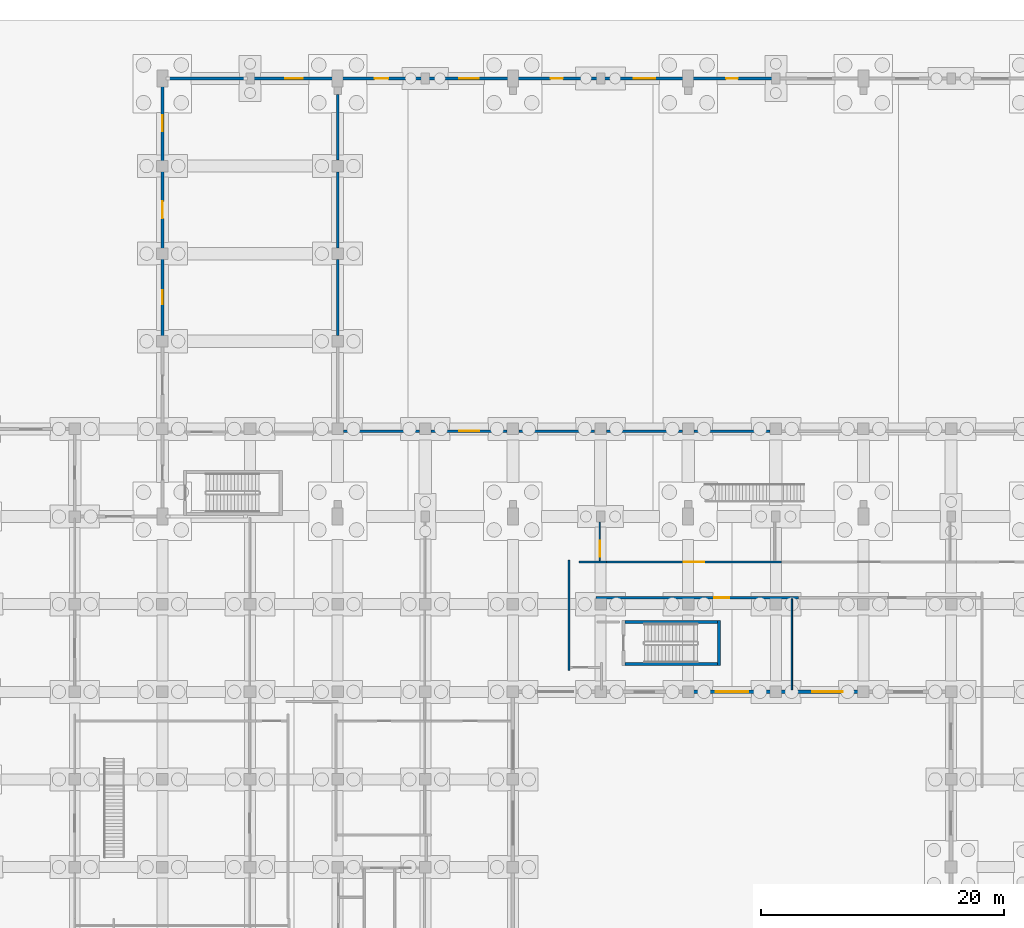
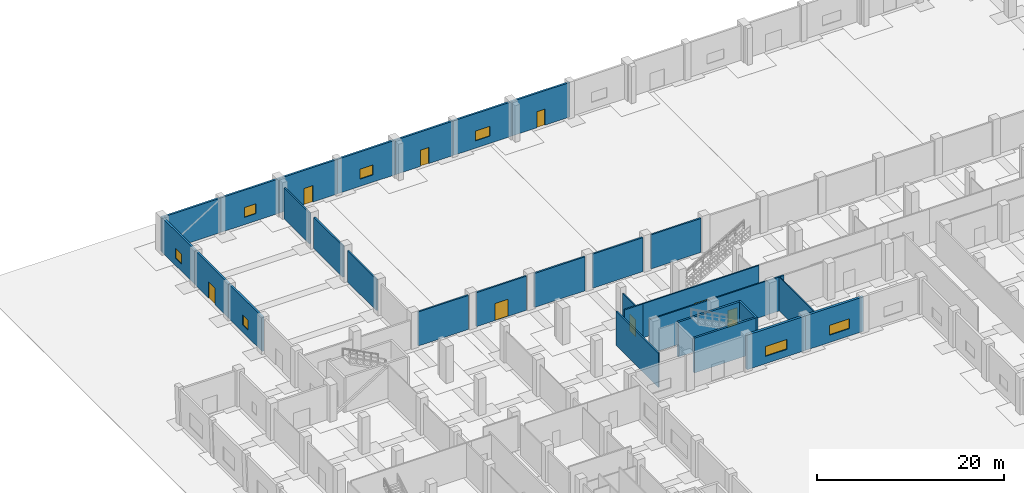
# One storey, part 28 of 48: 29 walls, 8 doors, 7 windows, 15 openings.
"""IFC4 building model written with IfcOpenShell, lengths in metres."""

from ifc_helpers import new_model, si_unit, direction, frame, frame_2d, origin, place, context, subcontext, project, spatial, rectangle, extrude, material, layer, layer_set, type_object, element, fill, save


model = new_model("IFC4")

# Units and contexts
model_context = context("Model", 3, precision=1e-05, world=origin(), true_north=direction((0.0, 1.0)))
body_context = subcontext(model_context, "Body", "Model", "MODEL_VIEW")
ifc_project = project(units=[si_unit("LENGTHUNIT", "METRE"), si_unit("AREAUNIT", "SQUARE_METRE"), si_unit("VOLUMEUNIT", "CUBIC_METRE"), si_unit("PLANEANGLEUNIT", "RADIAN"), si_unit("MASSUNIT", "GRAM", prefix="KILO")], contexts=[model_context])

# Site, building, storey
site_placement = place(None, origin())
site = spatial("IfcSite", under=ifc_project, at=site_placement, CompositionType="ELEMENT")
building_placement = place(site_placement, origin())
building = spatial("IfcBuilding", under=site, at=building_placement, Name="Seraya Terrace Polytechnic", CompositionType="ELEMENT")
storey_placement = place(building_placement, origin())
storey = spatial("IfcBuildingStorey", under=building, at=storey_placement, Name="L00", CompositionType="ELEMENT", Elevation=0.0)

# Wall, opening, window
ifc_material_1 = material(Name="Concrete C40/50", Category="concrete")
ifc_layer_1 = layer(ifc_material_1, 0.300048828125, Name="EW-01")
ifc_layer_set_1 = layer_set([ifc_layer_1], Name="Concrete C40/50")
wall_type_1 = type_object("IfcWallType", Name="EW-01", PredefinedType="SOLIDWALL", material=ifc_layer_set_1)
wall_1_placement = place(storey_placement, frame((72.0, 64.800048828125, 0.0), z_axis=(0.0, 0.0, 1.0), x_axis=(-1.0, 0.0, 0.0)))
wall_1 = element("IfcWall", 1, at=wall_1_placement, inside=storey, type_object=wall_type_1, Name="Exterior structural wall EW-01 L00", PredefinedType="SOLIDWALL", context=body_context, shape_type="SweptSolid", body=[
    extrude(rectangle(XDim=7.199951171875, YDim=0.300048828125, at=frame_2d((3.60009765625, 0.0))), origin(), (0.0, 0.0, 1.0), 4.52001953125),
])
opening_1_placement = place(wall_1_placement, frame((1.697509765625, 0.0, 0.949951171875)))
opening_1 = element("IfcOpeningElement", 2, at=opening_1_placement, cuts=wall_1, Name="Opening WN-10", PredefinedType="OPENING", context=body_context, shape_type="SweptSolid", body=[
    extrude(rectangle(XDim=2.5, YDim=1.300048828125, at=frame_2d((1.25, 0.64990234375))), frame((0.0, 0.162109375, 0.0), z_axis=(0.0, -1.0, 0.0), x_axis=(1.0, 0.0, 0.0)), (0.0, 0.0, 1.0), 0.323974609375),
])
ifc_material_2 = material(Name="Laminated solar-control Low-E double glazing", Category="glass")
window_type_1 = type_object("IfcWindowType", Name="WN-10", PartitioningType="SINGLE_PANEL", PredefinedType="WINDOW", material=ifc_material_2)
window_1_placement = place(opening_1_placement, origin())
window_1 = element("IfcWindow", 3, at=window_1_placement, inside=storey, type_object=window_type_1, Name="Exterior window WN-10 L00", OverallHeight=1.300048828125, OverallWidth=2.5, PartitioningType="SINGLE_PANEL", PredefinedType="WINDOW", context=body_context, shape_type="SweptSolid", body=[
    extrude(rectangle(XDim=2.5, YDim=1.300048828125, at=frame_2d((1.25, 0.64990234375))), frame((0.0, 0.030029296875, 0.0), z_axis=(0.0, -1.0, 0.0), x_axis=(1.0, 0.0, 0.0)), (0.0, 0.0, 1.0), 0.06005859375),
])
fill(opening_1, window_1)

wall_2_placement = place(storey_placement, frame((64.800048828125, 64.800048828125, 0.0), z_axis=(0.0, 0.0, 1.0), x_axis=(-1.0, 0.0, 0.0)))
wall_2 = element("IfcWall", 4, at=wall_2_placement, inside=storey, type_object=wall_type_1, Name="Exterior structural wall EW-01 L00", PredefinedType="SOLIDWALL", context=body_context, shape_type="SweptSolid", body=[
    extrude(rectangle(XDim=7.199951171875, YDim=0.300048828125, at=frame_2d((3.60009765625, 0.0))), origin(), (0.0, 0.0, 1.0), 4.52001953125),
])
opening_2_placement = place(wall_2_placement, frame((2.25, 0.0, 0.949951171875)))
opening_2 = element("IfcOpeningElement", 5, at=opening_2_placement, cuts=wall_2, Name="Opening WN-11", PredefinedType="OPENING", context=body_context, shape_type="SweptSolid", body=[
    extrude(rectangle(XDim=2.699951171875, YDim=1.300048828125, at=frame_2d((1.35009765625, 0.64990234375))), frame((0.0, 0.162109375, 0.0), z_axis=(0.0, -1.0, 0.0), x_axis=(1.0, 0.0, 0.0)), (0.0, 0.0, 1.0), 0.323974609375),
])
window_type_2 = type_object("IfcWindowType", Name="WN-11", PartitioningType="SINGLE_PANEL", PredefinedType="WINDOW", material=ifc_material_2)
window_2_placement = place(opening_2_placement, origin())
window_2 = element("IfcWindow", 6, at=window_2_placement, inside=storey, type_object=window_type_2, Name="Exterior window WN-11 L00", OverallHeight=1.300048828125, OverallWidth=2.699951171875, PartitioningType="SINGLE_PANEL", PredefinedType="WINDOW", context=body_context, shape_type="SweptSolid", body=[
    extrude(rectangle(XDim=2.699951171875, YDim=1.300048828125, at=frame_2d((1.35009765625, 0.64990234375))), frame((0.0, 0.030029296875, 0.0), z_axis=(0.0, -1.0, 0.0), x_axis=(1.0, 0.0, 0.0)), (0.0, 0.0, 1.0), 0.06005859375),
])
fill(opening_2, window_2)

ifc_layer_2 = layer(ifc_material_1, 0.239990234375, Name="EW-04")
ifc_layer_set_2 = layer_set([ifc_layer_2], Name="Concrete C40/50")
wall_type_2 = type_object("IfcWallType", Name="EW-04", PredefinedType="SOLIDWALL", material=ifc_layer_set_2)
wall_3_placement = place(storey_placement, frame((14.39990234375, 93.60009765625, 0.0), z_axis=(0.0, 0.0, 1.0), x_axis=(0.0, 1.0, 0.0)))
wall_3 = element("IfcWall", 7, at=wall_3_placement, inside=storey, type_object=wall_type_2, Name="Exterior structural wall EW-04 L00", PredefinedType="SOLIDWALL", context=body_context, shape_type="SweptSolid", body=[
    extrude(rectangle(XDim=7.199951171875, YDim=0.239990234375, at=frame_2d((3.60009765625, 0.0))), origin(), (0.0, 0.0, 1.0), 4.52001953125),
])
opening_3_placement = place(wall_3_placement, frame((3.02490234375, 0.0, 0.949951171875)))
opening_3 = element("IfcOpeningElement", 8, at=opening_3_placement, cuts=wall_3, Name="Opening WN-02", PredefinedType="OPENING", context=body_context, shape_type="SweptSolid", body=[
    extrude(rectangle(XDim=1.14990234375, YDim=1.300048828125, at=frame_2d((0.574951171875, 0.64990234375))), frame((0.0, 0.1318359375, 0.0), z_axis=(0.0, -1.0, 0.0), x_axis=(1.0, 0.0, 0.0)), (0.0, 0.0, 1.0), 0.263916015625),
])
window_type_3 = type_object("IfcWindowType", Name="WN-02", PartitioningType="SINGLE_PANEL", PredefinedType="WINDOW", material=ifc_material_2)
window_3_placement = place(opening_3_placement, origin())
window_3 = element("IfcWindow", 9, at=window_3_placement, inside=storey, type_object=window_type_3, Name="Exterior window WN-02 L00", OverallHeight=1.300048828125, OverallWidth=1.14990234375, PartitioningType="SINGLE_PANEL", PredefinedType="WINDOW", context=body_context, shape_type="SweptSolid", body=[
    extrude(rectangle(XDim=1.14990234375, YDim=1.300048828125, at=frame_2d((0.574951171875, 0.64990234375))), frame((0.0, 0.030029296875, 0.0), z_axis=(0.0, -1.0, 0.0), x_axis=(1.0, 0.0, 0.0)), (0.0, 0.0, 1.0), 0.06005859375),
])
fill(opening_3, window_3)

# Wall, opening, door
wall_4_placement = place(storey_placement, frame((14.39990234375, 100.800048828125, 0.0), z_axis=(0.0, 0.0, 1.0), x_axis=(0.0, 1.0, 0.0)))
wall_4 = element("IfcWall", 10, at=wall_4_placement, inside=storey, type_object=wall_type_2, Name="Exterior structural wall EW-04 L00", PredefinedType="SOLIDWALL", context=body_context, shape_type="SweptSolid", body=[
    extrude(rectangle(XDim=7.199951171875, YDim=0.239990234375, at=frame_2d((3.60009765625, 0.0))), origin(), (0.0, 0.0, 1.0), 4.52001953125),
])
opening_4_placement = place(wall_4_placement, frame((2.89990234375, 0.0, 0.0)))
opening_4 = element("IfcOpeningElement", 11, at=opening_4_placement, cuts=wall_4, Name="Opening ED-05", PredefinedType="OPENING", context=body_context, shape_type="SweptSolid", body=[
    extrude(rectangle(XDim=1.39990234375, YDim=2.14990234375, at=frame_2d((0.699951171875, 1.074951171875))), frame((0.0, 0.1318359375, 0.0), z_axis=(0.0, -1.0, 0.0), x_axis=(1.0, 0.0, 0.0)), (0.0, 0.0, 1.0), 0.263916015625),
])
ifc_material_3 = material(Name="Anodised aluminium EN AW-6063 T6", Category="aluminium")
door_type_1 = type_object("IfcDoorType", Name="ED-05", OperationType="DOUBLE_DOOR_SINGLE_SWING", PredefinedType="DOOR", material=ifc_material_3)
door_1_placement = place(opening_4_placement, origin())
door_1 = element("IfcDoor", 12, at=door_1_placement, inside=storey, type_object=door_type_1, Name="Door ED-05 DR-EXIT-L00-005 in WL-EXT-L00-03-03", OperationType="DOUBLE_DOOR_SINGLE_SWING", OverallHeight=2.14990234375, OverallWidth=1.39990234375, PredefinedType="DOOR", context=body_context, shape_type="SweptSolid", body=[
    extrude(rectangle(XDim=1.39990234375, YDim=2.14990234375, at=frame_2d((0.699951171875, 1.074951171875))), frame((0.0, 0.02490234375, 0.0), z_axis=(0.0, -1.0, 0.0), x_axis=(1.0, 0.0, 0.0)), (0.0, 0.0, 1.0), 0.050048828125),
])
fill(opening_4, door_1)

# Wall, opening, window
wall_5_placement = place(storey_placement, frame((14.39990234375, 108.0, 0.0), z_axis=(0.0, 0.0, 1.0), x_axis=(0.0, 1.0, 0.0)))
wall_5 = element("IfcWall", 13, at=wall_5_placement, inside=storey, type_object=wall_type_2, Name="Exterior structural wall EW-04 L00", PredefinedType="SOLIDWALL", context=body_context, shape_type="SweptSolid", body=[
    extrude(rectangle(XDim=7.048095703125, YDim=0.239990234375, at=frame_2d((3.52392578125, 0.0))), origin(), (0.0, 0.0, 1.0), 4.52001953125),
])
opening_5_placement = place(wall_5_placement, frame((2.8740234375, 0.0, 0.949951171875)))
opening_5 = element("IfcOpeningElement", 14, at=opening_5_placement, cuts=wall_5, Name="Opening WN-03", PredefinedType="OPENING", context=body_context, shape_type="SweptSolid", body=[
    extrude(rectangle(XDim=1.300048828125, YDim=1.300048828125, at=frame_2d((0.64990234375, 0.64990234375))), frame((0.0, 0.1318359375, 0.0), z_axis=(0.0, -1.0, 0.0), x_axis=(1.0, 0.0, 0.0)), (0.0, 0.0, 1.0), 0.263916015625),
])
window_type_4 = type_object("IfcWindowType", Name="WN-03", PartitioningType="SINGLE_PANEL", PredefinedType="WINDOW", material=ifc_material_2)
window_4_placement = place(opening_5_placement, origin())
window_4 = element("IfcWindow", 15, at=window_4_placement, inside=storey, type_object=window_type_4, Name="Exterior window WN-03 L00", OverallHeight=1.300048828125, OverallWidth=1.300048828125, PartitioningType="SINGLE_PANEL", PredefinedType="WINDOW", context=body_context, shape_type="SweptSolid", body=[
    extrude(rectangle(XDim=1.300048828125, YDim=1.300048828125, at=frame_2d((0.64990234375, 0.64990234375))), frame((0.0, 0.030029296875, 0.0), z_axis=(0.0, -1.0, 0.0), x_axis=(1.0, 0.0, 0.0)), (0.0, 0.0, 1.0), 0.06005859375),
])
fill(opening_5, window_4)

# Wall
wall_6_placement = place(storey_placement, frame((14.25, 115.199951171875, 0.0), z_axis=(0.0, 0.0, 1.0), x_axis=(1.0, 0.0, 0.0)))
element("IfcWall", 16, at=wall_6_placement, inside=storey, type_object=wall_type_2, Name="Exterior structural wall EW-04 L00", PredefinedType="SOLIDWALL", context=body_context, shape_type="SweptSolid", body=[
    extrude(rectangle(XDim=7.35009765625, YDim=0.239990234375, at=frame_2d((3.675048828125, 0.0))), origin(), (0.0, 0.0, 1.0), 4.52001953125),
])

# Wall, opening, window
wall_7_placement = place(storey_placement, frame((21.60009765625, 115.199951171875, 0.0), z_axis=(0.0, 0.0, 1.0), x_axis=(1.0, 0.0, 0.0)))
wall_7 = element("IfcWall", 17, at=wall_7_placement, inside=storey, type_object=wall_type_2, Name="Exterior structural wall EW-04 L00", PredefinedType="SOLIDWALL", context=body_context, shape_type="SweptSolid", body=[
    extrude(rectangle(XDim=7.199951171875, YDim=0.239990234375, at=frame_2d((3.60009765625, 0.0))), origin(), (0.0, 0.0, 1.0), 4.52001953125),
])
opening_6_placement = place(wall_7_placement, frame((2.875, 0.0, 0.949951171875)))
opening_6 = element("IfcOpeningElement", 18, at=opening_6_placement, cuts=wall_7, Name="Opening WN-04", PredefinedType="OPENING", context=body_context, shape_type="SweptSolid", body=[
    extrude(rectangle(XDim=1.449951171875, YDim=1.300048828125, at=frame_2d((0.72509765625, 0.64990234375))), frame((0.0, 0.1318359375, 0.0), z_axis=(0.0, -1.0, 0.0), x_axis=(1.0, 0.0, 0.0)), (0.0, 0.0, 1.0), 0.263916015625),
])
window_type_5 = type_object("IfcWindowType", Name="WN-04", PartitioningType="SINGLE_PANEL", PredefinedType="WINDOW", material=ifc_material_2)
window_5_placement = place(opening_6_placement, origin())
window_5 = element("IfcWindow", 19, at=window_5_placement, inside=storey, type_object=window_type_5, Name="Exterior window WN-04 L00", OverallHeight=1.300048828125, OverallWidth=1.449951171875, PartitioningType="SINGLE_PANEL", PredefinedType="WINDOW", context=body_context, shape_type="SweptSolid", body=[
    extrude(rectangle(XDim=1.449951171875, YDim=1.300048828125, at=frame_2d((0.72509765625, 0.64990234375))), frame((0.0, 0.030029296875, 0.0), z_axis=(0.0, -1.0, 0.0), x_axis=(1.0, 0.0, 0.0)), (0.0, 0.0, 1.0), 0.06005859375),
])
fill(opening_6, window_5)

# Wall, opening, door
wall_8_placement = place(storey_placement, frame((28.800048828125, 115.199951171875, 0.0), z_axis=(0.0, 0.0, 1.0), x_axis=(1.0, 0.0, 0.0)))
wall_8 = element("IfcWall", 20, at=wall_8_placement, inside=storey, type_object=wall_type_2, Name="Exterior structural wall EW-04 L00", PredefinedType="SOLIDWALL", context=body_context, shape_type="SweptSolid", body=[
    extrude(rectangle(XDim=7.199951171875, YDim=0.239990234375, at=frame_2d((3.60009765625, 0.0))), origin(), (0.0, 0.0, 1.0), 4.52001953125),
])
opening_7_placement = place(wall_8_placement, frame((3.0400390625, 0.0, 0.0)))
opening_7 = element("IfcOpeningElement", 21, at=opening_7_placement, cuts=wall_8, Name="Opening ED-06", PredefinedType="OPENING", context=body_context, shape_type="SweptSolid", body=[
    extrude(rectangle(XDim=1.1201171875, YDim=2.14990234375, at=frame_2d((0.56005859375, 1.074951171875))), frame((0.0, 0.1318359375, 0.0), z_axis=(0.0, -1.0, 0.0), x_axis=(1.0, 0.0, 0.0)), (0.0, 0.0, 1.0), 0.263916015625),
])
door_type_2 = type_object("IfcDoorType", Name="ED-06", OperationType="NOTDEFINED", PredefinedType="DOOR", material=ifc_material_3)
door_2_placement = place(opening_7_placement, origin())
door_2 = element("IfcDoor", 22, at=door_2_placement, inside=storey, type_object=door_type_2, Name="Door ED-06 DR-EXIT-L00-006 in WL-EXT-L00-04-02", OperationType="SINGLE_SWING_LEFT", OverallHeight=2.14990234375, OverallWidth=1.1201171875, PredefinedType="DOOR", context=body_context, shape_type="SweptSolid", body=[
    extrude(rectangle(XDim=1.1201171875, YDim=2.14990234375, at=frame_2d((0.56005859375, 1.074951171875))), frame((0.0, 0.02490234375, 0.0), z_axis=(0.0, -1.0, 0.0), x_axis=(1.0, 0.0, 0.0)), (0.0, 0.0, 1.0), 0.050048828125),
])
fill(opening_7, door_2)

# Wall, opening, window
wall_9_placement = place(storey_placement, frame((36.0, 115.199951171875, 0.0), z_axis=(0.0, 0.0, 1.0), x_axis=(1.0, 0.0, 0.0)))
wall_9 = element("IfcWall", 23, at=wall_9_placement, inside=storey, type_object=wall_type_2, Name="Exterior structural wall EW-04 L00", PredefinedType="SOLIDWALL", context=body_context, shape_type="SweptSolid", body=[
    extrude(rectangle(XDim=7.199951171875, YDim=0.239990234375, at=frame_2d((3.60009765625, 0.0))), origin(), (0.0, 0.0, 1.0), 4.52001953125),
])
opening_8_placement = place(wall_9_placement, frame((2.800048828125, 0.0, 0.949951171875)))
opening_8 = element("IfcOpeningElement", 24, at=opening_8_placement, cuts=wall_9, Name="Opening WN-05", PredefinedType="OPENING", context=body_context, shape_type="SweptSolid", body=[
    extrude(rectangle(XDim=1.60009765625, YDim=1.300048828125, at=frame_2d((0.800048828125, 0.64990234375))), frame((0.0, 0.1318359375, 0.0), z_axis=(0.0, -1.0, 0.0), x_axis=(1.0, 0.0, 0.0)), (0.0, 0.0, 1.0), 0.263916015625),
])
window_type_6 = type_object("IfcWindowType", Name="WN-05", PartitioningType="SINGLE_PANEL", PredefinedType="WINDOW", material=ifc_material_2)
window_6_placement = place(opening_8_placement, origin())
window_6 = element("IfcWindow", 25, at=window_6_placement, inside=storey, type_object=window_type_6, Name="Exterior window WN-05 L00", OverallHeight=1.300048828125, OverallWidth=1.60009765625, PartitioningType="SINGLE_PANEL", PredefinedType="WINDOW", context=body_context, shape_type="SweptSolid", body=[
    extrude(rectangle(XDim=1.60009765625, YDim=1.300048828125, at=frame_2d((0.800048828125, 0.64990234375))), frame((0.0, 0.030029296875, 0.0), z_axis=(0.0, -1.0, 0.0), x_axis=(1.0, 0.0, 0.0)), (0.0, 0.0, 1.0), 0.06005859375),
])
fill(opening_8, window_6)

# Wall, opening, door
wall_10_placement = place(storey_placement, frame((43.199951171875, 115.199951171875, 0.0), z_axis=(0.0, 0.0, 1.0), x_axis=(1.0, 0.0, 0.0)))
wall_10 = element("IfcWall", 26, at=wall_10_placement, inside=storey, type_object=wall_type_2, Name="Exterior structural wall EW-04 L00", PredefinedType="SOLIDWALL", context=body_context, shape_type="SweptSolid", body=[
    extrude(rectangle(XDim=7.199951171875, YDim=0.239990234375, at=frame_2d((3.60009765625, 0.0))), origin(), (0.0, 0.0, 1.0), 4.52001953125),
])
opening_9_placement = place(wall_10_placement, frame((3.090087890625, 0.0, 0.0)))
opening_9 = element("IfcOpeningElement", 27, at=opening_9_placement, cuts=wall_10, Name="Opening ED-07", PredefinedType="OPENING", context=body_context, shape_type="SweptSolid", body=[
    extrude(rectangle(XDim=1.02001953125, YDim=2.1201171875, at=frame_2d((0.510009765625, 1.06005859375))), frame((0.0, 0.1318359375, 0.0), z_axis=(0.0, -1.0, 0.0), x_axis=(1.0, 0.0, 0.0)), (0.0, 0.0, 1.0), 0.263916015625),
])
door_type_3 = type_object("IfcDoorType", Name="ED-07", OperationType="NOTDEFINED", PredefinedType="DOOR", material=ifc_material_3)
door_3_placement = place(opening_9_placement, origin())
door_3 = element("IfcDoor", 28, at=door_3_placement, inside=storey, type_object=door_type_3, Name="Door ED-07 DR-EXIT-L00-007 in WL-EXT-L00-04-04", OperationType="SINGLE_SWING_RIGHT", OverallHeight=2.1201171875, OverallWidth=1.02001953125, PredefinedType="DOOR", context=body_context, shape_type="SweptSolid", body=[
    extrude(rectangle(XDim=1.02001953125, YDim=2.1201171875, at=frame_2d((0.510009765625, 1.06005859375))), frame((0.0, 0.02490234375, 0.0), z_axis=(0.0, -1.0, 0.0), x_axis=(1.0, 0.0, 0.0)), (0.0, 0.0, 1.0), 0.050048828125),
])
fill(opening_9, door_3)

# Wall, opening, window
wall_11_placement = place(storey_placement, frame((50.39990234375, 115.199951171875, 0.0), z_axis=(0.0, 0.0, 1.0), x_axis=(1.0, 0.0, 0.0)))
wall_11 = element("IfcWall", 29, at=wall_11_placement, inside=storey, type_object=wall_type_2, Name="Exterior structural wall EW-04 L00", PredefinedType="SOLIDWALL", context=body_context, shape_type="SweptSolid", body=[
    extrude(rectangle(XDim=7.2001953125, YDim=0.239990234375, at=frame_2d((3.60009765625, 0.0))), origin(), (0.0, 0.0, 1.0), 4.52001953125),
])
opening_10_placement = place(wall_11_placement, frame((2.72509765625, 0.0, 0.949951171875)))
opening_10 = element("IfcOpeningElement", 30, at=opening_10_placement, cuts=wall_11, Name="Opening WN-06", PredefinedType="OPENING", context=body_context, shape_type="SweptSolid", body=[
    extrude(rectangle(XDim=1.75, YDim=1.300048828125, at=frame_2d((0.875, 0.64990234375))), frame((0.0, 0.1318359375, 0.0), z_axis=(0.0, -1.0, 0.0), x_axis=(1.0, 0.0, 0.0)), (0.0, 0.0, 1.0), 0.263916015625),
])
window_type_7 = type_object("IfcWindowType", Name="WN-06", PartitioningType="SINGLE_PANEL", PredefinedType="WINDOW", material=ifc_material_2)
window_7_placement = place(opening_10_placement, origin())
window_7 = element("IfcWindow", 31, at=window_7_placement, inside=storey, type_object=window_type_7, Name="Exterior window WN-06 L00", OverallHeight=1.300048828125, OverallWidth=1.75, PartitioningType="SINGLE_PANEL", PredefinedType="WINDOW", context=body_context, shape_type="SweptSolid", body=[
    extrude(rectangle(XDim=1.75, YDim=1.300048828125, at=frame_2d((0.875, 0.64990234375))), frame((0.0, 0.030029296875, 0.0), z_axis=(0.0, -1.0, 0.0), x_axis=(1.0, 0.0, 0.0)), (0.0, 0.0, 1.0), 0.06005859375),
])
fill(opening_10, window_7)

# Wall, opening, door
wall_12_placement = place(storey_placement, frame((57.60009765625, 115.199951171875, 0.0), z_axis=(0.0, 0.0, 1.0), x_axis=(1.0, 0.0, 0.0)))
wall_12 = element("IfcWall", 32, at=wall_12_placement, inside=storey, type_object=wall_type_2, Name="Exterior structural wall EW-04 L00", PredefinedType="SOLIDWALL", context=body_context, shape_type="SweptSolid", body=[
    extrude(rectangle(XDim=7.199951171875, YDim=0.239990234375, at=frame_2d((3.60009765625, 0.0))), origin(), (0.0, 0.0, 1.0), 4.52001953125),
])
opening_11_placement = place(wall_12_placement, frame((3.1201171875, 0.0, 0.0)))
opening_11 = element("IfcOpeningElement", 33, at=opening_11_placement, cuts=wall_12, Name="Opening ED-08", PredefinedType="OPENING", context=body_context, shape_type="SweptSolid", body=[
    extrude(rectangle(XDim=0.9599609375, YDim=2.10009765625, at=frame_2d((0.47998046875, 1.050048828125))), frame((0.0, 0.1318359375, 0.0), z_axis=(0.0, -1.0, 0.0), x_axis=(1.0, 0.0, 0.0)), (0.0, 0.0, 1.0), 0.263916015625),
])
door_type_4 = type_object("IfcDoorType", Name="ED-08", OperationType="NOTDEFINED", PredefinedType="DOOR", material=ifc_material_3)
door_4_placement = place(opening_11_placement, origin())
door_4 = element("IfcDoor", 34, at=door_4_placement, inside=storey, type_object=door_type_4, Name="Door ED-08 DR-EXIT-L00-008 in WL-EXT-L00-04-06", OperationType="SINGLE_SWING_LEFT", OverallHeight=2.10009765625, OverallWidth=0.9599609375, PredefinedType="DOOR", context=body_context, shape_type="SweptSolid", body=[
    extrude(rectangle(XDim=0.9599609375, YDim=2.10009765625, at=frame_2d((0.47998046875, 1.050048828125))), frame((0.0, 0.02490234375, 0.0), z_axis=(0.0, -1.0, 0.0), x_axis=(1.0, 0.0, 0.0)), (0.0, 0.0, 1.0), 0.050048828125),
])
fill(opening_11, door_4)

ifc_material_4 = material(Name="Autoclaved aerated concrete blockwork", Category="masonry")
ifc_layer_3 = layer(ifc_material_4, 0.199951171875, Name="PT-01")
ifc_layer_set_3 = layer_set([ifc_layer_3], Name="Autoclaved aerated concrete blockwork")
wall_type_3 = type_object("IfcWallType", Name="PT-01", PredefinedType="PARTITIONING", material=ifc_layer_set_3)
wall_13_placement = place(storey_placement, frame((36.485107421875, 86.219970703125, 0.0), z_axis=(0.0, 0.0, 1.0), x_axis=(1.0, 0.0, 0.0)))
wall_13 = element("IfcWall", 35, at=wall_13_placement, inside=storey, type_object=wall_type_3, Name="Internal partition PT-01 L00", PredefinedType="PARTITIONING", context=body_context, shape_type="SweptSolid", body=[
    extrude(rectangle(XDim=6.22998046875, YDim=0.199951171875, at=frame_2d((3.114990234375, 0.0))), origin(), (0.0, 0.0, 1.0), 4.4599609375),
])
opening_12_placement = place(wall_13_placement, frame((2.294921875, 0.0, 0.0)))
opening_12 = element("IfcOpeningElement", 36, at=opening_12_placement, cuts=wall_13, Name="Opening FD-03", PredefinedType="OPENING", context=body_context, shape_type="SweptSolid", body=[
    extrude(rectangle(XDim=1.639892578125, YDim=2.239990234375, at=frame_2d((0.81982421875, 1.1201171875))), frame((0.0, 0.11181640625, 0.0), z_axis=(0.0, -1.0, 0.0), x_axis=(1.0, 0.0, 0.0)), (0.0, 0.0, 1.0), 0.223876953125),
])
ifc_material_5 = material(Name="Steel S355J2", Category="steel")
door_type_5 = type_object("IfcDoorType", Name="FD-03", OperationType="DOUBLE_DOOR_SINGLE_SWING", PredefinedType="DOOR", material=ifc_material_5)
door_5_placement = place(opening_12_placement, origin())
door_5 = element("IfcDoor", 37, at=door_5_placement, inside=storey, type_object=door_type_5, Name="Door FD-03 DR-INT-L00-0036 in WL-INT-L00-0103", OperationType="DOUBLE_DOOR_SINGLE_SWING", OverallHeight=2.239990234375, OverallWidth=1.639892578125, PredefinedType="DOOR", context=body_context, shape_type="SweptSolid", body=[
    extrude(rectangle(XDim=1.639892578125, YDim=2.239990234375, at=frame_2d((0.81982421875, 1.1201171875))), frame((0.0, 0.02490234375, 0.0), z_axis=(0.0, -1.0, 0.0), x_axis=(1.0, 0.0, 0.0)), (0.0, 0.0, 1.0), 0.050048828125),
])
fill(opening_12, door_5)

# Walls
for number, where, z_axis, x_axis, name in (
    (38, (50.885009765625, 86.219970703125, 0.0), (0.0, 0.0, 1.0), (1.0, 0.0, 0.0), "Internal partition PT-01 L00"),
    (39, (29.284912109375, 86.219970703125, 0.0), (0.0, 0.0, 1.0), (1.0, 0.0, 0.0), "Internal partition PT-01 L00"),
    (40, (43.68505859375, 86.219970703125, 0.0), (0.0, 0.0, 1.0), (1.0, 0.0, 0.0), "Internal partition PT-01 L00"),
    (41, (58.0849609375, 86.219970703125, 0.0), (0.0, 0.0, 1.0), (1.0, 0.0, 0.0), "Internal partition PT-01 L00"),
):
    element("IfcWall", number, at=place(storey_placement, frame(where, z_axis=z_axis, x_axis=x_axis)), inside=storey, type_object=wall_type_3, Name=name, PredefinedType="PARTITIONING", context=body_context, shape_type="SweptSolid", body=[
        extrude(rectangle(XDim=6.22998046875, YDim=0.199951171875, at=frame_2d((3.114990234375, 0.0))), origin(), (0.0, 0.0, 1.0), 4.4599609375),
    ])
for number, where, z_axis, x_axis, name in (
    (42, (28.800048828125, 94.0849609375, 0.0), (0.0, 0.0, 1.0), (0.0, 1.0, 0.0), "Internal partition PT-01 L00"),
    (43, (28.800048828125, 101.284912109375, 0.0), (0.0, 0.0, 1.0), (0.0, 1.0, 0.0), "Internal partition PT-01 L00"),
):
    element("IfcWall", number, at=place(storey_placement, frame(where, z_axis=z_axis, x_axis=x_axis)), inside=storey, type_object=wall_type_3, Name=name, PredefinedType="PARTITIONING", context=body_context, shape_type="SweptSolid", body=[
        extrude(rectangle(XDim=6.22998046875, YDim=0.199951171875, at=frame_2d((3.114990234375, 0.0))), origin(), (0.0, 0.0, 1.0), 4.080078125),
    ])
wall_14_placement = place(storey_placement, frame((28.800048828125, 108.485107421875, 0.0), z_axis=(0.0, 0.0, 1.0), x_axis=(0.0, 1.0, 0.0)))
element("IfcWall", 44, at=wall_14_placement, inside=storey, type_object=wall_type_3, Name="Internal partition PT-01 L00", PredefinedType="PARTITIONING", context=body_context, shape_type="SweptSolid", body=[
    extrude(rectangle(XDim=5.385009765625, YDim=0.199951171875, at=frame_2d((2.6923828125, 0.0))), origin(), (0.0, 0.0, 1.0), 4.080078125),
])
ifc_layer_4 = layer(ifc_material_4, 0.169921875, Name="PT-02")
ifc_layer_set_4 = layer_set([ifc_layer_4], Name="Autoclaved aerated concrete blockwork")
wall_type_4 = type_object("IfcWallType", Name="PT-02", PredefinedType="PARTITIONING", material=ifc_layer_set_4)
wall_15_placement = place(storey_placement, frame((48.639892578125, 75.4697265625, 0.0), z_axis=(0.0, 0.0, 1.0), x_axis=(1.0, 0.0, 0.0)))
element("IfcWall", 45, at=wall_15_placement, inside=storey, type_object=wall_type_4, Name="Internal partition PT-02 L00", PredefinedType="PARTITIONING", context=body_context, shape_type="SweptSolid", body=[
    extrude(rectangle(XDim=2.260009765625, YDim=0.169921875, at=frame_2d((1.1298828125, 0.0))), origin(), (0.0, 0.0, 1.0), 4.4599609375),
])

# Wall, opening, door
wall_16_placement = place(storey_placement, frame((50.89990234375, 75.469970703125, 0.0), z_axis=(0.0, 0.0, 1.0), x_axis=(1.0, 0.0, 0.0)))
wall_16 = element("IfcWall", 46, at=wall_16_placement, inside=storey, type_object=wall_type_4, Name="Internal partition PT-02 L00", PredefinedType="PARTITIONING", context=body_context, shape_type="SweptSolid", body=[
    extrude(rectangle(XDim=14.380126953125, YDim=0.169921875, at=frame_2d((7.18994140625, 0.0))), origin(), (0.0, 0.0, 1.0), 4.4599609375),
])
opening_13_placement = place(wall_16_placement, frame((6.35009765625, 0.0, 0.0)))
opening_13 = element("IfcOpeningElement", 47, at=opening_13_placement, cuts=wall_16, Name="Opening ID-13", PredefinedType="OPENING", context=body_context, shape_type="SweptSolid", body=[
    extrude(rectangle(XDim=1.679931640625, YDim=2.280029296875, at=frame_2d((0.83984375, 1.14013671875))), frame((0.0, 0.096923828125, 0.0), z_axis=(0.0, -1.0, 0.0), x_axis=(1.0, 0.0, 0.0)), (0.0, 0.0, 1.0), 0.19384765625),
])
ifc_material_6 = material(Name="Malaysian dark red meranti hardwood timber D40", Category="wood")
door_type_6 = type_object("IfcDoorType", Name="ID-13", OperationType="DOUBLE_DOOR_SINGLE_SWING", PredefinedType="DOOR", material=ifc_material_6)
door_6_placement = place(opening_13_placement, origin())
door_6 = element("IfcDoor", 48, at=door_6_placement, inside=storey, type_object=door_type_6, Name="Door ID-13 DR-INT-L00-0010 in WL-INT-L00-0069", OperationType="DOUBLE_DOOR_SINGLE_SWING", OverallHeight=2.280029296875, OverallWidth=1.679931640625, PredefinedType="DOOR", context=body_context, shape_type="SweptSolid", body=[
    extrude(rectangle(XDim=1.679931640625, YDim=2.280029296875, at=frame_2d((0.83984375, 1.14013671875))), frame((0.0, 0.02490234375, 0.0), z_axis=(0.0, -1.0, 0.0), x_axis=(1.0, 0.0, 0.0)), (0.0, 0.0, 1.0), 0.050048828125),
])
fill(opening_13, door_6)

wall_17_placement = place(storey_placement, frame((50.030029296875, 72.530029296875, 0.0), z_axis=(0.0, 0.0, 1.0), x_axis=(1.0, 0.0, 0.0)))
wall_17 = element("IfcWall", 49, at=wall_17_placement, inside=storey, type_object=wall_type_4, Name="Internal partition PT-02 L00", PredefinedType="PARTITIONING", context=body_context, shape_type="SweptSolid", body=[
    extrude(rectangle(XDim=16.655029296875, YDim=0.169921875, at=frame_2d((8.32763671875, 0.0))), origin(), (0.0, 0.0, 1.0), 4.4599609375),
])
opening_14_placement = place(wall_17_placement, frame((9.717529296875, 0.0, 0.0)))
opening_14 = element("IfcOpeningElement", 50, at=opening_14_placement, cuts=wall_17, Name="Opening ID-07", PredefinedType="OPENING", context=body_context, shape_type="SweptSolid", body=[
    extrude(rectangle(XDim=1.219970703125, YDim=2.219970703125, at=frame_2d((0.60986328125, 1.10986328125))), frame((0.0, 0.096923828125, 0.0), z_axis=(0.0, -1.0, 0.0), x_axis=(1.0, 0.0, 0.0)), (0.0, 0.0, 1.0), 0.19384765625),
])
door_type_7 = type_object("IfcDoorType", Name="ID-07", OperationType="NOTDEFINED", PredefinedType="DOOR", material=ifc_material_6)
door_7_placement = place(opening_14_placement, origin())
door_7 = element("IfcDoor", 51, at=door_7_placement, inside=storey, type_object=door_type_7, Name="Door ID-07 DR-INT-L00-0004 in WL-INT-L00-0072", OperationType="SINGLE_SWING_LEFT", OverallHeight=2.219970703125, OverallWidth=1.219970703125, PredefinedType="DOOR", context=body_context, shape_type="SweptSolid", body=[
    extrude(rectangle(XDim=1.219970703125, YDim=2.219970703125, at=frame_2d((0.60986328125, 1.10986328125))), frame((0.0, 0.02490234375, 0.0), z_axis=(0.0, -1.0, 0.0), x_axis=(1.0, 0.0, 0.0)), (0.0, 0.0, 1.0), 0.050048828125),
])
fill(opening_14, door_7)

# Walls
wall_18_placement = place(storey_placement, frame((47.800048828125, 66.56005859375, 0.0), z_axis=(0.0, 0.0, 1.0), x_axis=(0.0, 1.0, 0.0)))
element("IfcWall", 52, at=wall_18_placement, inside=storey, type_object=wall_type_4, Name="Internal partition PT-02 L00", PredefinedType="PARTITIONING", context=body_context, shape_type="SweptSolid", body=[
    extrude(rectangle(XDim=9.079833984375, YDim=0.169921875, at=frame_2d((4.5400390625, 0.0))), origin(), (0.0, 0.0, 1.0), 4.4599609375),
])
ifc_layer_5 = layer(ifc_material_4, 0.1201171875, Name="PT-05")
ifc_layer_set_5 = layer_set([ifc_layer_5], Name="Autoclaved aerated concrete blockwork")
wall_type_5 = type_object("IfcWallType", Name="PT-05", PredefinedType="PARTITIONING", material=ifc_layer_set_5)
wall_19_placement = place(storey_placement, frame((66.125, 64.9619140625, 0.0), z_axis=(0.0, 0.0, 1.0), x_axis=(0.0, 1.0, 0.0)))
element("IfcWall", 53, at=wall_19_placement, inside=storey, type_object=wall_type_5, Name="Internal partition PT-05 L00", PredefinedType="PARTITIONING", context=body_context, shape_type="SweptSolid", body=[
    extrude(rectangle(XDim=7.468017578125, YDim=0.1201171875, at=frame_2d((3.73388671875, 0.0))), origin(), (0.0, 0.0, 1.0), 4.4599609375),
])

# Wall, opening, door
ifc_layer_6 = layer(ifc_material_4, 0.10009765625, Name="PT-06")
ifc_layer_set_6 = layer_set([ifc_layer_6], Name="Autoclaved aerated concrete blockwork")
wall_type_6 = type_object("IfcWallType", Name="PT-06", PredefinedType="PARTITIONING", material=ifc_layer_set_6)
wall_20_placement = place(storey_placement, frame((50.340087890625, 75.56982421875, 0.0), z_axis=(0.0, 0.0, 1.0), x_axis=(0.0, 1.0, 0.0)))
wall_20 = element("IfcWall", 54, at=wall_20_placement, inside=storey, type_object=wall_type_6, Name="Internal partition PT-06 L00", PredefinedType="PARTITIONING", context=body_context, shape_type="SweptSolid", body=[
    extrude(rectangle(XDim=3.170166015625, YDim=0.10009765625, at=frame_2d((1.5849609375, 0.0))), origin(), (0.0, 0.0, 1.0), 4.080078125),
])
opening_15_placement = place(wall_20_placement, frame((0.34521484375, 0.0, 0.0)))
opening_15 = element("IfcOpeningElement", 55, at=opening_15_placement, cuts=wall_20, Name="Opening ID-08", PredefinedType="OPENING", context=body_context, shape_type="SweptSolid", body=[
    extrude(rectangle(XDim=1.280029296875, YDim=2.219970703125, at=frame_2d((0.64013671875, 1.10986328125))), frame((0.0, 0.06201171875, 0.0), z_axis=(0.0, -1.0, 0.0), x_axis=(1.0, 0.0, 0.0)), (0.0, 0.0, 1.0), 0.1240234375),
])
door_type_8 = type_object("IfcDoorType", Name="ID-08", OperationType="NOTDEFINED", PredefinedType="DOOR", material=ifc_material_6)
door_8_placement = place(opening_15_placement, frame((1.280029296875, 0.0, 0.0), z_axis=(0.0, 0.0, 1.0), x_axis=(-1.0, 0.0, 0.0)))
door_8 = element("IfcDoor", 56, at=door_8_placement, inside=storey, type_object=door_type_8, Name="Door ID-08 DR-INT-L00-0053 in WL-INT-L00-0204", OperationType="SINGLE_SWING_RIGHT", OverallHeight=2.219970703125, OverallWidth=1.280029296875, PredefinedType="DOOR", context=body_context, shape_type="SweptSolid", body=[
    extrude(rectangle(XDim=1.280029296875, YDim=2.219970703125, at=frame_2d((0.64013671875, 1.10986328125))), frame((0.0, 0.02490234375, 0.0), z_axis=(0.0, -1.0, 0.0), x_axis=(1.0, 0.0, 0.0)), (0.0, 0.0, 1.0), 0.050048828125),
])
fill(opening_15, door_8)

# Walls
ifc_layer_7 = layer(ifc_material_1, 0.25, Name="SW-02")
ifc_layer_set_7 = layer_set([ifc_layer_7], Name="Concrete C40/50")
wall_type_7 = type_object("IfcWallType", Name="SW-02", PredefinedType="SHEAR", material=ifc_layer_set_7)
wall_21_placement = place(storey_placement, frame((60.125, 66.949951171875, 0.0), z_axis=(0.0, 0.0, 1.0), x_axis=(0.0, 1.0, 0.0)))
element("IfcWall", 57, at=wall_21_placement, inside=storey, type_object=wall_type_7, Name="Stairwell ST-06 East wall L00", PredefinedType="SHEAR", context=body_context, shape_type="SweptSolid", body=[
    extrude(rectangle(XDim=3.699951171875, YDim=0.25, at=frame_2d((1.85009765625, 0.0))), origin(), (0.0, 0.0, 1.0), 4.550048828125),
])
for number, where, z_axis, x_axis, name in (
    (58, (52.39990234375, 67.074951171875, 0.0), (0.0, 0.0, 1.0), (1.0, 0.0, 0.0), "Stairwell ST-06 South wall L00"),
    (59, (52.39990234375, 70.52490234375, 0.0), (0.0, 0.0, 1.0), (1.0, 0.0, 0.0), "Stairwell ST-06 North wall L00"),
):
    element("IfcWall", number, at=place(storey_placement, frame(where, z_axis=z_axis, x_axis=x_axis)), inside=storey, type_object=wall_type_7, Name=name, PredefinedType="SHEAR", context=body_context, shape_type="SweptSolid", body=[
        extrude(rectangle(XDim=7.60009765625, YDim=0.25, at=frame_2d((3.800048828125, 0.0))), origin(), (0.0, 0.0, 1.0), 4.550048828125),
    ])

save(model, "model.ifc")
